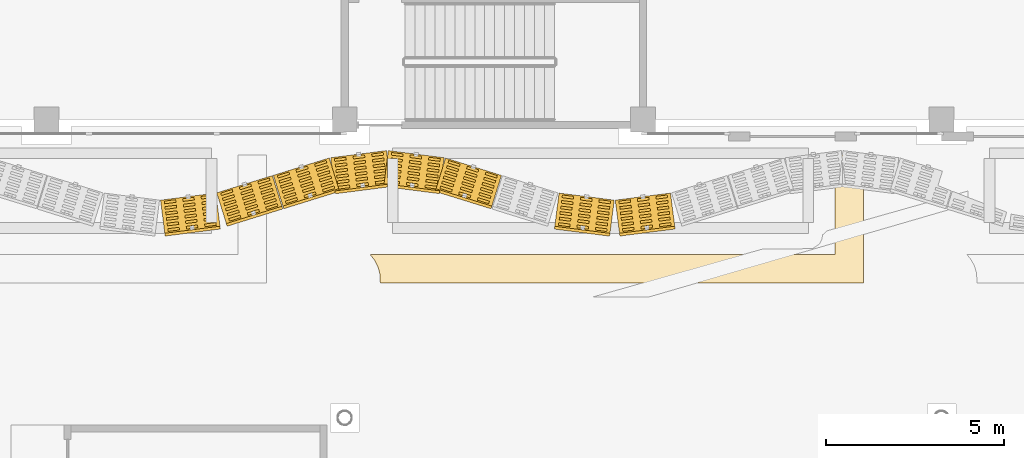
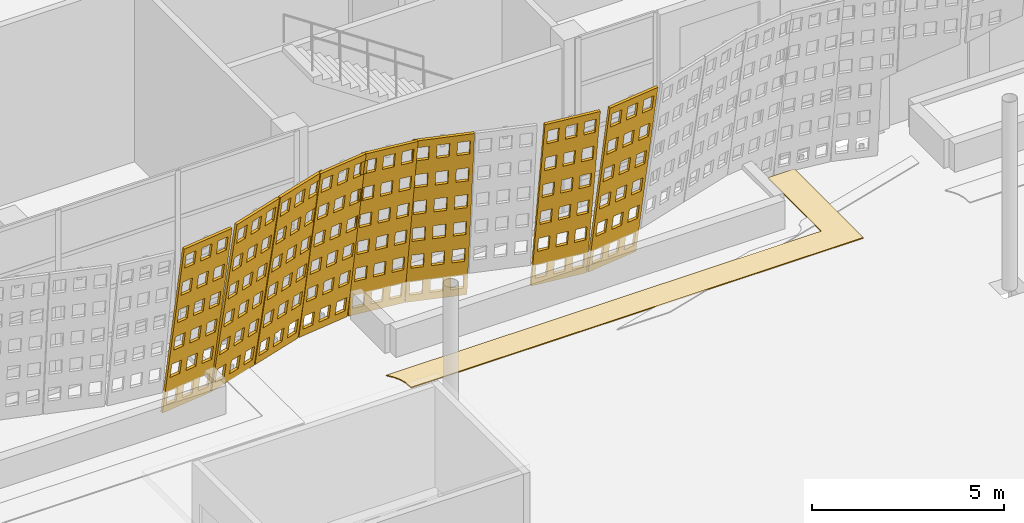
# One storey, part 173 of 210: 9 coverings.
"""IFC4 building model written with IfcOpenShell, lengths in metres."""

from ifc_helpers import new_model, si_unit, direction, frame, origin, place, context, subcontext, project, spatial, polyline, outline, extrude, material, layer, layer_set, type_object, element, save


model = new_model("IFC4")

# Units and contexts
model_context = context("Model", 3, precision=1e-05, world=origin(), true_north=direction((0.0, 1.0)))
body_context = subcontext(model_context, "Body", "Model", "MODEL_VIEW")
ifc_project = project(units=[si_unit("LENGTHUNIT", "METRE"), si_unit("AREAUNIT", "SQUARE_METRE"), si_unit("VOLUMEUNIT", "CUBIC_METRE"), si_unit("PLANEANGLEUNIT", "RADIAN"), si_unit("MASSUNIT", "GRAM", prefix="KILO")], contexts=[model_context])

# Site, building, storey
site_placement = place(None, origin())
site = spatial("IfcSite", under=ifc_project, at=site_placement, CompositionType="ELEMENT")
building_placement = place(site_placement, origin())
building = spatial("IfcBuilding", under=site, at=building_placement, Name="Rain Tree Exposition and Congress Centre", CompositionType="ELEMENT")
storey_placement = place(building_placement, origin())
storey = spatial("IfcBuildingStorey", under=building, at=storey_placement, Name="L00", CompositionType="ELEMENT", Elevation=0.0)

# Coverings
ifc_material_1 = material(Name="Granite paving", Category="masonry")
ifc_layer_1 = layer(ifc_material_1, 0.030029296875)
ifc_layer_set_1 = layer_set([ifc_layer_1], Name="Granite paving")
covering_type_1 = type_object("IfcCoveringType", Name="Granite paving inlay 30", PredefinedType="FLOORING", material=ifc_layer_set_1)
covering_1_placement = place(storey_placement, origin())
element("IfcCovering", 1, at=covering_1_placement, inside=storey, type_object=covering_type_1, Name="Granite paving inlay 25", PredefinedType="FLOORING", context=body_context, shape_type="SweptSolid", body=[
    extrude(outline(polyline([(89.39990234375, 71.800048828125), (76.3134765625, 71.800048828125), (76.44189453125, 71.638916015625), (76.531005859375, 71.46435546875), (76.583984375, 71.275634765625), (76.60009765625, 71.0), (90.199951171875, 71.0), (90.199951171875, 74.60009765625), (89.39990234375, 74.60009765625), (89.39990234375, 71.800048828125)])), origin(), (0.0, 0.0, 1.0), 0.030029296875),
])
ifc_material_2 = material(Name="Perforated terracotta", Category="masonry")
ifc_layer_2 = layer(ifc_material_2, 0.080078125)
ifc_layer_set_2 = layer_set([ifc_layer_2], Name="Perforated terracotta")
covering_type_2 = type_object("IfcCoveringType", Name="Terracotta screen 80", PredefinedType="CLADDING", material=ifc_layer_set_2)
covering_2_placement = place(storey_placement, frame((70.39990234375, 73.25, 0.0), z_axis=(-0.125030801275, 0.978899688033, 0.161625182136), x_axis=(-0.991941518713, -0.126696580272, 0.0)))
element("IfcCovering", 2, at=covering_2_placement, inside=storey, type_object=covering_type_2, Name="concourse/screen/L00/045", PredefinedType="CLADDING", context=body_context, shape_type="SweptSolid", body=[
    extrude(outline(polyline([(-0.025146484375, 0.0), (-1.59130859375, 0.0), (-1.59130859375, 5.813720703125), (-0.025146484375, 5.813720703125), (-0.025146484375, 0.0)]), holes=[polyline([(-0.12451171875, 0.25), (-0.12451171875, 0.718994140625), (-0.447998046875, 0.718994140625), (-0.447998046875, 0.25), (-0.12451171875, 0.25)]), polyline([(-0.12451171875, 1.218994140625), (-0.12451171875, 1.687744140625), (-0.447998046875, 1.687744140625), (-0.447998046875, 1.218994140625), (-0.12451171875, 1.218994140625)]), polyline([(-0.12451171875, 2.18798828125), (-0.12451171875, 2.65673828125), (-0.447998046875, 2.65673828125), (-0.447998046875, 2.18798828125), (-0.12451171875, 2.18798828125)]), polyline([(-0.12451171875, 3.156982421875), (-0.12451171875, 3.625732421875), (-0.447998046875, 3.625732421875), (-0.447998046875, 3.156982421875), (-0.12451171875, 3.156982421875)]), polyline([(-0.12451171875, 4.125732421875), (-0.12451171875, 4.594482421875), (-0.447998046875, 4.594482421875), (-0.447998046875, 4.125732421875), (-0.12451171875, 4.125732421875)]), polyline([(-0.12451171875, 5.0947265625), (-0.12451171875, 5.563720703125), (-0.447998046875, 5.563720703125), (-0.447998046875, 5.0947265625), (-0.12451171875, 5.0947265625)]), polyline([(-0.646484375, 0.25), (-0.646484375, 0.718994140625), (-0.969970703125, 0.718994140625), (-0.969970703125, 0.25), (-0.646484375, 0.25)]), polyline([(-0.646484375, 1.218994140625), (-0.646484375, 1.687744140625), (-0.969970703125, 1.687744140625), (-0.969970703125, 1.218994140625), (-0.646484375, 1.218994140625)]), polyline([(-0.646484375, 2.18798828125), (-0.646484375, 2.65673828125), (-0.969970703125, 2.65673828125), (-0.969970703125, 2.18798828125), (-0.646484375, 2.18798828125)]), polyline([(-0.646484375, 3.156982421875), (-0.646484375, 3.625732421875), (-0.969970703125, 3.625732421875), (-0.969970703125, 3.156982421875), (-0.646484375, 3.156982421875)]), polyline([(-0.646484375, 4.125732421875), (-0.646484375, 4.594482421875), (-0.969970703125, 4.594482421875), (-0.969970703125, 4.125732421875), (-0.646484375, 4.125732421875)]), polyline([(-0.646484375, 5.0947265625), (-0.646484375, 5.563720703125), (-0.969970703125, 5.563720703125), (-0.969970703125, 5.0947265625), (-0.646484375, 5.0947265625)]), polyline([(-1.16845703125, 0.25), (-1.16845703125, 0.718994140625), (-1.491943359375, 0.718994140625), (-1.491943359375, 0.25), (-1.16845703125, 0.25)]), polyline([(-1.16845703125, 1.218994140625), (-1.16845703125, 1.687744140625), (-1.491943359375, 1.687744140625), (-1.491943359375, 1.218994140625), (-1.16845703125, 1.218994140625)]), polyline([(-1.16845703125, 2.18798828125), (-1.16845703125, 2.65673828125), (-1.491943359375, 2.65673828125), (-1.491943359375, 2.18798828125), (-1.16845703125, 2.18798828125)]), polyline([(-1.16845703125, 3.156982421875), (-1.16845703125, 3.625732421875), (-1.491943359375, 3.625732421875), (-1.491943359375, 3.156982421875), (-1.16845703125, 3.156982421875)]), polyline([(-1.16845703125, 4.125732421875), (-1.16845703125, 4.594482421875), (-1.491943359375, 4.594482421875), (-1.491943359375, 4.125732421875), (-1.16845703125, 4.125732421875)]), polyline([(-1.16845703125, 5.0947265625), (-1.16845703125, 5.563720703125), (-1.491943359375, 5.563720703125), (-1.491943359375, 5.0947265625), (-1.16845703125, 5.0947265625)])]), origin(), (0.0, 0.0, 1.0), 0.080078125),
])
covering_3_placement = place(storey_placement, frame((72.0, 73.455078125, 0.0), z_axis=(-0.293072736571, 0.943327870838, 0.155694891303), x_axis=(-0.954973588716, -0.296690823679, 0.0)))
element("IfcCovering", 3, at=covering_3_placement, inside=storey, type_object=covering_type_2, Name="concourse/screen/L00/046", PredefinedType="CLADDING", context=body_context, shape_type="SweptSolid", body=[
    extrude(outline(polyline([(-0.02197265625, 0.0), (-1.659912109375, 0.0), (-1.659912109375, 5.80859375), (-0.02197265625, 5.80859375), (-0.02197265625, 0.0)]), holes=[polyline([(-0.125732421875, 0.249755859375), (-0.125732421875, 0.71826171875), (-0.464111328125, 0.71826171875), (-0.464111328125, 0.249755859375), (-0.125732421875, 0.249755859375)]), polyline([(-0.125732421875, 1.218017578125), (-0.125732421875, 1.686279296875), (-0.464111328125, 1.686279296875), (-0.464111328125, 1.218017578125), (-0.125732421875, 1.218017578125)]), polyline([(-0.125732421875, 2.18603515625), (-0.125732421875, 2.654541015625), (-0.464111328125, 2.654541015625), (-0.464111328125, 2.18603515625), (-0.125732421875, 2.18603515625)]), polyline([(-0.125732421875, 3.154052734375), (-0.125732421875, 3.62255859375), (-0.464111328125, 3.62255859375), (-0.464111328125, 3.154052734375), (-0.125732421875, 3.154052734375)]), polyline([(-0.125732421875, 4.122314453125), (-0.125732421875, 4.5908203125), (-0.464111328125, 4.5908203125), (-0.464111328125, 4.122314453125), (-0.125732421875, 4.122314453125)]), polyline([(-0.125732421875, 5.09033203125), (-0.125732421875, 5.558837890625), (-0.464111328125, 5.558837890625), (-0.464111328125, 5.09033203125), (-0.125732421875, 5.09033203125)]), polyline([(-0.671630859375, 0.249755859375), (-0.671630859375, 0.71826171875), (-1.010009765625, 0.71826171875), (-1.010009765625, 0.249755859375), (-0.671630859375, 0.249755859375)]), polyline([(-0.671630859375, 1.218017578125), (-0.671630859375, 1.686279296875), (-1.010009765625, 1.686279296875), (-1.010009765625, 1.218017578125), (-0.671630859375, 1.218017578125)]), polyline([(-0.671630859375, 2.18603515625), (-0.671630859375, 2.654541015625), (-1.010009765625, 2.654541015625), (-1.010009765625, 2.18603515625), (-0.671630859375, 2.18603515625)]), polyline([(-0.671630859375, 3.154052734375), (-0.671630859375, 3.62255859375), (-1.010009765625, 3.62255859375), (-1.010009765625, 3.154052734375), (-0.671630859375, 3.154052734375)]), polyline([(-0.671630859375, 4.122314453125), (-0.671630859375, 4.5908203125), (-1.010009765625, 4.5908203125), (-1.010009765625, 4.122314453125), (-0.671630859375, 4.122314453125)]), polyline([(-0.671630859375, 5.09033203125), (-0.671630859375, 5.558837890625), (-1.010009765625, 5.558837890625), (-1.010009765625, 5.09033203125), (-0.671630859375, 5.09033203125)]), polyline([(-1.217529296875, 0.249755859375), (-1.217529296875, 0.71826171875), (-1.55615234375, 0.71826171875), (-1.55615234375, 0.249755859375), (-1.217529296875, 0.249755859375)]), polyline([(-1.217529296875, 1.218017578125), (-1.217529296875, 1.686279296875), (-1.55615234375, 1.686279296875), (-1.55615234375, 1.218017578125), (-1.217529296875, 1.218017578125)]), polyline([(-1.217529296875, 2.18603515625), (-1.217529296875, 2.654541015625), (-1.55615234375, 2.654541015625), (-1.55615234375, 2.18603515625), (-1.217529296875, 2.18603515625)]), polyline([(-1.217529296875, 3.154052734375), (-1.217529296875, 3.62255859375), (-1.55615234375, 3.62255859375), (-1.55615234375, 3.154052734375), (-1.217529296875, 3.154052734375)]), polyline([(-1.217529296875, 4.122314453125), (-1.217529296875, 4.5908203125), (-1.55615234375, 4.5908203125), (-1.55615234375, 4.122314453125), (-1.217529296875, 4.122314453125)]), polyline([(-1.217529296875, 5.09033203125), (-1.217529296875, 5.558837890625), (-1.55615234375, 5.558837890625), (-1.55615234375, 5.09033203125), (-1.217529296875, 5.09033203125)])]), origin(), (0.0, 0.0, 1.0), 0.080078125),
])
covering_4_placement = place(storey_placement, frame((73.60009765625, 73.949951171875, 0.0), z_axis=(-0.293072736571, 0.943327870838, 0.155694891303), x_axis=(-0.954973588716, -0.296690823679, 0.0)))
element("IfcCovering", 4, at=covering_4_placement, inside=storey, type_object=covering_type_2, Name="concourse/screen/L00/047", PredefinedType="CLADDING", context=body_context, shape_type="SweptSolid", body=[
    extrude(outline(polyline([(-0.014892578125, 0.0), (-1.659912109375, 0.0), (-1.659912109375, 5.80859375), (-0.014892578125, 5.80859375), (-0.014892578125, 0.0)]), holes=[polyline([(-0.119140625, 0.249755859375), (-0.119140625, 0.71826171875), (-0.458984375, 0.71826171875), (-0.458984375, 0.249755859375), (-0.119140625, 0.249755859375)]), polyline([(-0.119140625, 1.218017578125), (-0.119140625, 1.686279296875), (-0.458984375, 1.686279296875), (-0.458984375, 1.218017578125), (-0.119140625, 1.218017578125)]), polyline([(-0.119140625, 2.18603515625), (-0.119140625, 2.654541015625), (-0.458984375, 2.654541015625), (-0.458984375, 2.18603515625), (-0.119140625, 2.18603515625)]), polyline([(-0.119140625, 3.154052734375), (-0.119140625, 3.62255859375), (-0.458984375, 3.62255859375), (-0.458984375, 3.154052734375), (-0.119140625, 3.154052734375)]), polyline([(-0.119140625, 4.122314453125), (-0.119140625, 4.5908203125), (-0.458984375, 4.5908203125), (-0.458984375, 4.122314453125), (-0.119140625, 4.122314453125)]), polyline([(-0.119140625, 5.09033203125), (-0.119140625, 5.558837890625), (-0.458984375, 5.558837890625), (-0.458984375, 5.09033203125), (-0.119140625, 5.09033203125)]), polyline([(-0.66748046875, 0.249755859375), (-0.66748046875, 0.71826171875), (-1.00732421875, 0.71826171875), (-1.00732421875, 0.249755859375), (-0.66748046875, 0.249755859375)]), polyline([(-0.66748046875, 1.218017578125), (-0.66748046875, 1.686279296875), (-1.00732421875, 1.686279296875), (-1.00732421875, 1.218017578125), (-0.66748046875, 1.218017578125)]), polyline([(-0.66748046875, 2.18603515625), (-0.66748046875, 2.654541015625), (-1.00732421875, 2.654541015625), (-1.00732421875, 2.18603515625), (-0.66748046875, 2.18603515625)]), polyline([(-0.66748046875, 3.154052734375), (-0.66748046875, 3.62255859375), (-1.00732421875, 3.62255859375), (-1.00732421875, 3.154052734375), (-0.66748046875, 3.154052734375)]), polyline([(-0.66748046875, 4.122314453125), (-0.66748046875, 4.5908203125), (-1.00732421875, 4.5908203125), (-1.00732421875, 4.122314453125), (-0.66748046875, 4.122314453125)]), polyline([(-0.66748046875, 5.09033203125), (-0.66748046875, 5.558837890625), (-1.00732421875, 5.558837890625), (-1.00732421875, 5.09033203125), (-0.66748046875, 5.09033203125)]), polyline([(-1.2158203125, 0.249755859375), (-1.2158203125, 0.71826171875), (-1.5556640625, 0.71826171875), (-1.5556640625, 0.249755859375), (-1.2158203125, 0.249755859375)]), polyline([(-1.2158203125, 1.218017578125), (-1.2158203125, 1.686279296875), (-1.5556640625, 1.686279296875), (-1.5556640625, 1.218017578125), (-1.2158203125, 1.218017578125)]), polyline([(-1.2158203125, 2.18603515625), (-1.2158203125, 2.654541015625), (-1.5556640625, 2.654541015625), (-1.5556640625, 2.18603515625), (-1.2158203125, 2.18603515625)]), polyline([(-1.2158203125, 3.154052734375), (-1.2158203125, 3.62255859375), (-1.5556640625, 3.62255859375), (-1.5556640625, 3.154052734375), (-1.2158203125, 3.154052734375)]), polyline([(-1.2158203125, 4.122314453125), (-1.2158203125, 4.5908203125), (-1.5556640625, 4.5908203125), (-1.5556640625, 4.122314453125), (-1.2158203125, 4.122314453125)]), polyline([(-1.2158203125, 5.09033203125), (-1.2158203125, 5.558837890625), (-1.5556640625, 5.558837890625), (-1.5556640625, 5.09033203125), (-1.2158203125, 5.09033203125)])]), origin(), (0.0, 0.0, 1.0), 0.080078125),
])
covering_5_placement = place(storey_placement, frame((75.199951171875, 74.445068359375, 0.0), z_axis=(-0.125405134464, 0.978771781185, 0.162109076259), x_axis=(-0.991891686382, -0.127086122318, 0.0)))
element("IfcCovering", 5, at=covering_5_placement, inside=storey, type_object=covering_type_2, Name="concourse/screen/L00/048", PredefinedType="CLADDING", context=body_context, shape_type="SweptSolid", body=[
    extrude(outline(polyline([(-0.014892578125, 0.0), (-1.59814453125, 0.0), (-1.59814453125, 5.813720703125), (-0.014892578125, 5.813720703125), (-0.014892578125, 0.0)]), holes=[polyline([(-0.115234375, 0.25), (-0.115234375, 0.718994140625), (-0.4423828125, 0.718994140625), (-0.4423828125, 0.25), (-0.115234375, 0.25)]), polyline([(-0.115234375, 1.218994140625), (-0.115234375, 1.687744140625), (-0.4423828125, 1.687744140625), (-0.4423828125, 1.218994140625), (-0.115234375, 1.218994140625)]), polyline([(-0.115234375, 2.18798828125), (-0.115234375, 2.65673828125), (-0.4423828125, 2.65673828125), (-0.4423828125, 2.18798828125), (-0.115234375, 2.18798828125)]), polyline([(-0.115234375, 3.156982421875), (-0.115234375, 3.625732421875), (-0.4423828125, 3.625732421875), (-0.4423828125, 3.156982421875), (-0.115234375, 3.156982421875)]), polyline([(-0.115234375, 4.125732421875), (-0.115234375, 4.594482421875), (-0.4423828125, 4.594482421875), (-0.4423828125, 4.125732421875), (-0.115234375, 4.125732421875)]), polyline([(-0.115234375, 5.0947265625), (-0.115234375, 5.563720703125), (-0.4423828125, 5.563720703125), (-0.4423828125, 5.0947265625), (-0.115234375, 5.0947265625)]), polyline([(-0.64306640625, 0.25), (-0.64306640625, 0.718994140625), (-0.97021484375, 0.718994140625), (-0.97021484375, 0.25), (-0.64306640625, 0.25)]), polyline([(-0.64306640625, 1.218994140625), (-0.64306640625, 1.687744140625), (-0.97021484375, 1.687744140625), (-0.97021484375, 1.218994140625), (-0.64306640625, 1.218994140625)]), polyline([(-0.64306640625, 2.18798828125), (-0.64306640625, 2.65673828125), (-0.97021484375, 2.65673828125), (-0.97021484375, 2.18798828125), (-0.64306640625, 2.18798828125)]), polyline([(-0.64306640625, 3.156982421875), (-0.64306640625, 3.625732421875), (-0.97021484375, 3.625732421875), (-0.97021484375, 3.156982421875), (-0.64306640625, 3.156982421875)]), polyline([(-0.64306640625, 4.125732421875), (-0.64306640625, 4.594482421875), (-0.97021484375, 4.594482421875), (-0.97021484375, 4.125732421875), (-0.64306640625, 4.125732421875)]), polyline([(-0.64306640625, 5.0947265625), (-0.64306640625, 5.563720703125), (-0.97021484375, 5.563720703125), (-0.97021484375, 5.0947265625), (-0.64306640625, 5.0947265625)]), polyline([(-1.170654296875, 0.25), (-1.170654296875, 0.718994140625), (-1.497802734375, 0.718994140625), (-1.497802734375, 0.25), (-1.170654296875, 0.25)]), polyline([(-1.170654296875, 1.218994140625), (-1.170654296875, 1.687744140625), (-1.497802734375, 1.687744140625), (-1.497802734375, 1.218994140625), (-1.170654296875, 1.218994140625)]), polyline([(-1.170654296875, 2.18798828125), (-1.170654296875, 2.65673828125), (-1.497802734375, 2.65673828125), (-1.497802734375, 2.18798828125), (-1.170654296875, 2.18798828125)]), polyline([(-1.170654296875, 3.156982421875), (-1.170654296875, 3.625732421875), (-1.497802734375, 3.625732421875), (-1.497802734375, 3.156982421875), (-1.170654296875, 3.156982421875)]), polyline([(-1.170654296875, 4.125732421875), (-1.170654296875, 4.594482421875), (-1.497802734375, 4.594482421875), (-1.497802734375, 4.125732421875), (-1.170654296875, 4.125732421875)]), polyline([(-1.170654296875, 5.0947265625), (-1.170654296875, 5.563720703125), (-1.497802734375, 5.563720703125), (-1.497802734375, 5.0947265625), (-1.170654296875, 5.0947265625)])]), origin(), (0.0, 0.0, 1.0), 0.079833984375),
])
covering_6_placement = place(storey_placement, frame((76.800048828125, 74.64990234375, 0.0), z_axis=(0.125030801275, 0.978899688033, 0.161625182136), x_axis=(-0.991941518713, 0.126696580272, 0.0)))
element("IfcCovering", 6, at=covering_6_placement, inside=storey, type_object=covering_type_2, Name="concourse/screen/L00/049", PredefinedType="CLADDING", context=body_context, shape_type="SweptSolid", body=[
    extrude(outline(polyline([(-0.014892578125, 0.0), (-1.59814453125, 0.0), (-1.59814453125, 5.813720703125), (-0.014892578125, 5.813720703125), (-0.014892578125, 0.0)]), holes=[polyline([(-0.115234375, 0.25), (-0.115234375, 0.718994140625), (-0.4423828125, 0.718994140625), (-0.4423828125, 0.25), (-0.115234375, 0.25)]), polyline([(-0.115234375, 1.218994140625), (-0.115234375, 1.687744140625), (-0.4423828125, 1.687744140625), (-0.4423828125, 1.218994140625), (-0.115234375, 1.218994140625)]), polyline([(-0.115234375, 2.18798828125), (-0.115234375, 2.65673828125), (-0.4423828125, 2.65673828125), (-0.4423828125, 2.18798828125), (-0.115234375, 2.18798828125)]), polyline([(-0.115234375, 3.156982421875), (-0.115234375, 3.625732421875), (-0.4423828125, 3.625732421875), (-0.4423828125, 3.156982421875), (-0.115234375, 3.156982421875)]), polyline([(-0.115234375, 4.125732421875), (-0.115234375, 4.594482421875), (-0.4423828125, 4.594482421875), (-0.4423828125, 4.125732421875), (-0.115234375, 4.125732421875)]), polyline([(-0.115234375, 5.0947265625), (-0.115234375, 5.563720703125), (-0.4423828125, 5.563720703125), (-0.4423828125, 5.0947265625), (-0.115234375, 5.0947265625)]), polyline([(-0.64306640625, 0.25), (-0.64306640625, 0.718994140625), (-0.97021484375, 0.718994140625), (-0.97021484375, 0.25), (-0.64306640625, 0.25)]), polyline([(-0.64306640625, 1.218994140625), (-0.64306640625, 1.687744140625), (-0.97021484375, 1.687744140625), (-0.97021484375, 1.218994140625), (-0.64306640625, 1.218994140625)]), polyline([(-0.64306640625, 2.18798828125), (-0.64306640625, 2.65673828125), (-0.97021484375, 2.65673828125), (-0.97021484375, 2.18798828125), (-0.64306640625, 2.18798828125)]), polyline([(-0.64306640625, 3.156982421875), (-0.64306640625, 3.625732421875), (-0.97021484375, 3.625732421875), (-0.97021484375, 3.156982421875), (-0.64306640625, 3.156982421875)]), polyline([(-0.64306640625, 4.125732421875), (-0.64306640625, 4.594482421875), (-0.97021484375, 4.594482421875), (-0.97021484375, 4.125732421875), (-0.64306640625, 4.125732421875)]), polyline([(-0.64306640625, 5.0947265625), (-0.64306640625, 5.563720703125), (-0.97021484375, 5.563720703125), (-0.97021484375, 5.0947265625), (-0.64306640625, 5.0947265625)]), polyline([(-1.170654296875, 0.25), (-1.170654296875, 0.718994140625), (-1.497802734375, 0.718994140625), (-1.497802734375, 0.25), (-1.170654296875, 0.25)]), polyline([(-1.170654296875, 1.218994140625), (-1.170654296875, 1.687744140625), (-1.497802734375, 1.687744140625), (-1.497802734375, 1.218994140625), (-1.170654296875, 1.218994140625)]), polyline([(-1.170654296875, 2.18798828125), (-1.170654296875, 2.65673828125), (-1.497802734375, 2.65673828125), (-1.497802734375, 2.18798828125), (-1.170654296875, 2.18798828125)]), polyline([(-1.170654296875, 3.156982421875), (-1.170654296875, 3.625732421875), (-1.497802734375, 3.625732421875), (-1.497802734375, 3.156982421875), (-1.170654296875, 3.156982421875)]), polyline([(-1.170654296875, 4.125732421875), (-1.170654296875, 4.594482421875), (-1.497802734375, 4.594482421875), (-1.497802734375, 4.125732421875), (-1.170654296875, 4.125732421875)]), polyline([(-1.170654296875, 5.0947265625), (-1.170654296875, 5.563720703125), (-1.497802734375, 5.563720703125), (-1.497802734375, 5.0947265625), (-1.170654296875, 5.0947265625)])]), origin(), (0.0, 0.0, 1.0), 0.080078125),
])
covering_7_placement = place(storey_placement, frame((78.39990234375, 74.445068359375, 0.0), z_axis=(0.293072736571, 0.943327870838, 0.155694891303), x_axis=(-0.954973588716, 0.296690823679, 0.0)))
element("IfcCovering", 7, at=covering_7_placement, inside=storey, type_object=covering_type_2, Name="concourse/screen/L00/050", PredefinedType="CLADDING", context=body_context, shape_type="SweptSolid", body=[
    extrude(outline(polyline([(-0.014892578125, 0.0), (-1.659912109375, 0.0), (-1.659912109375, 5.80859375), (-0.014892578125, 5.80859375), (-0.014892578125, 0.0)]), holes=[polyline([(-0.119140625, 0.249755859375), (-0.119140625, 0.71826171875), (-0.458984375, 0.71826171875), (-0.458984375, 0.249755859375), (-0.119140625, 0.249755859375)]), polyline([(-0.119140625, 1.218017578125), (-0.119140625, 1.686279296875), (-0.458984375, 1.686279296875), (-0.458984375, 1.218017578125), (-0.119140625, 1.218017578125)]), polyline([(-0.119140625, 2.18603515625), (-0.119140625, 2.654541015625), (-0.458984375, 2.654541015625), (-0.458984375, 2.18603515625), (-0.119140625, 2.18603515625)]), polyline([(-0.119140625, 3.154052734375), (-0.119140625, 3.62255859375), (-0.458984375, 3.62255859375), (-0.458984375, 3.154052734375), (-0.119140625, 3.154052734375)]), polyline([(-0.119140625, 4.122314453125), (-0.119140625, 4.5908203125), (-0.458984375, 4.5908203125), (-0.458984375, 4.122314453125), (-0.119140625, 4.122314453125)]), polyline([(-0.119140625, 5.09033203125), (-0.119140625, 5.558837890625), (-0.458984375, 5.558837890625), (-0.458984375, 5.09033203125), (-0.119140625, 5.09033203125)]), polyline([(-0.66748046875, 0.249755859375), (-0.66748046875, 0.71826171875), (-1.00732421875, 0.71826171875), (-1.00732421875, 0.249755859375), (-0.66748046875, 0.249755859375)]), polyline([(-0.66748046875, 1.218017578125), (-0.66748046875, 1.686279296875), (-1.00732421875, 1.686279296875), (-1.00732421875, 1.218017578125), (-0.66748046875, 1.218017578125)]), polyline([(-0.66748046875, 2.18603515625), (-0.66748046875, 2.654541015625), (-1.00732421875, 2.654541015625), (-1.00732421875, 2.18603515625), (-0.66748046875, 2.18603515625)]), polyline([(-0.66748046875, 3.154052734375), (-0.66748046875, 3.62255859375), (-1.00732421875, 3.62255859375), (-1.00732421875, 3.154052734375), (-0.66748046875, 3.154052734375)]), polyline([(-0.66748046875, 4.122314453125), (-0.66748046875, 4.5908203125), (-1.00732421875, 4.5908203125), (-1.00732421875, 4.122314453125), (-0.66748046875, 4.122314453125)]), polyline([(-0.66748046875, 5.09033203125), (-0.66748046875, 5.558837890625), (-1.00732421875, 5.558837890625), (-1.00732421875, 5.09033203125), (-0.66748046875, 5.09033203125)]), polyline([(-1.2158203125, 0.249755859375), (-1.2158203125, 0.71826171875), (-1.5556640625, 0.71826171875), (-1.5556640625, 0.249755859375), (-1.2158203125, 0.249755859375)]), polyline([(-1.2158203125, 1.218017578125), (-1.2158203125, 1.686279296875), (-1.5556640625, 1.686279296875), (-1.5556640625, 1.218017578125), (-1.2158203125, 1.218017578125)]), polyline([(-1.2158203125, 2.18603515625), (-1.2158203125, 2.654541015625), (-1.5556640625, 2.654541015625), (-1.5556640625, 2.18603515625), (-1.2158203125, 2.18603515625)]), polyline([(-1.2158203125, 3.154052734375), (-1.2158203125, 3.62255859375), (-1.5556640625, 3.62255859375), (-1.5556640625, 3.154052734375), (-1.2158203125, 3.154052734375)]), polyline([(-1.2158203125, 4.122314453125), (-1.2158203125, 4.5908203125), (-1.5556640625, 4.5908203125), (-1.5556640625, 4.122314453125), (-1.2158203125, 4.122314453125)]), polyline([(-1.2158203125, 5.09033203125), (-1.2158203125, 5.558837890625), (-1.5556640625, 5.558837890625), (-1.5556640625, 5.09033203125), (-1.2158203125, 5.09033203125)])]), origin(), (0.0, 0.0, 1.0), 0.080078125),
])
covering_8_placement = place(storey_placement, frame((81.60009765625, 73.455078125, 0.0), z_axis=(0.125405134464, 0.978771781185, 0.162109076259), x_axis=(-0.991891686382, 0.127086122318, 0.0)))
element("IfcCovering", 8, at=covering_8_placement, inside=storey, type_object=covering_type_2, Name="concourse/screen/L00/052", PredefinedType="CLADDING", context=body_context, shape_type="SweptSolid", body=[
    extrude(outline(polyline([(-0.02197265625, 0.0), (-1.587890625, 0.0), (-1.587890625, 5.813720703125), (-0.02197265625, 5.813720703125), (-0.02197265625, 0.0)]), holes=[polyline([(-0.12109375, 0.25), (-0.12109375, 0.718994140625), (-0.444580078125, 0.718994140625), (-0.444580078125, 0.25), (-0.12109375, 0.25)]), polyline([(-0.12109375, 1.218994140625), (-0.12109375, 1.687744140625), (-0.444580078125, 1.687744140625), (-0.444580078125, 1.218994140625), (-0.12109375, 1.218994140625)]), polyline([(-0.12109375, 2.18798828125), (-0.12109375, 2.65673828125), (-0.444580078125, 2.65673828125), (-0.444580078125, 2.18798828125), (-0.12109375, 2.18798828125)]), polyline([(-0.12109375, 3.156982421875), (-0.12109375, 3.625732421875), (-0.444580078125, 3.625732421875), (-0.444580078125, 3.156982421875), (-0.12109375, 3.156982421875)]), polyline([(-0.12109375, 4.125732421875), (-0.12109375, 4.594482421875), (-0.444580078125, 4.594482421875), (-0.444580078125, 4.125732421875), (-0.12109375, 4.125732421875)]), polyline([(-0.12109375, 5.0947265625), (-0.12109375, 5.563720703125), (-0.444580078125, 5.563720703125), (-0.444580078125, 5.0947265625), (-0.12109375, 5.0947265625)]), polyline([(-0.64306640625, 0.25), (-0.64306640625, 0.718994140625), (-0.966796875, 0.718994140625), (-0.966796875, 0.25), (-0.64306640625, 0.25)]), polyline([(-0.64306640625, 1.218994140625), (-0.64306640625, 1.687744140625), (-0.966796875, 1.687744140625), (-0.966796875, 1.218994140625), (-0.64306640625, 1.218994140625)]), polyline([(-0.64306640625, 2.18798828125), (-0.64306640625, 2.65673828125), (-0.966796875, 2.65673828125), (-0.966796875, 2.18798828125), (-0.64306640625, 2.18798828125)]), polyline([(-0.64306640625, 3.156982421875), (-0.64306640625, 3.625732421875), (-0.966796875, 3.625732421875), (-0.966796875, 3.156982421875), (-0.64306640625, 3.156982421875)]), polyline([(-0.64306640625, 4.125732421875), (-0.64306640625, 4.594482421875), (-0.966796875, 4.594482421875), (-0.966796875, 4.125732421875), (-0.64306640625, 4.125732421875)]), polyline([(-0.64306640625, 5.0947265625), (-0.64306640625, 5.563720703125), (-0.966796875, 5.563720703125), (-0.966796875, 5.0947265625), (-0.64306640625, 5.0947265625)]), polyline([(-1.1650390625, 0.25), (-1.1650390625, 0.718994140625), (-1.48876953125, 0.718994140625), (-1.48876953125, 0.25), (-1.1650390625, 0.25)]), polyline([(-1.1650390625, 1.218994140625), (-1.1650390625, 1.687744140625), (-1.48876953125, 1.687744140625), (-1.48876953125, 1.218994140625), (-1.1650390625, 1.218994140625)]), polyline([(-1.1650390625, 2.18798828125), (-1.1650390625, 2.65673828125), (-1.48876953125, 2.65673828125), (-1.48876953125, 2.18798828125), (-1.1650390625, 2.18798828125)]), polyline([(-1.1650390625, 3.156982421875), (-1.1650390625, 3.625732421875), (-1.48876953125, 3.625732421875), (-1.48876953125, 3.156982421875), (-1.1650390625, 3.156982421875)]), polyline([(-1.1650390625, 4.125732421875), (-1.1650390625, 4.594482421875), (-1.48876953125, 4.594482421875), (-1.48876953125, 4.125732421875), (-1.1650390625, 4.125732421875)]), polyline([(-1.1650390625, 5.0947265625), (-1.1650390625, 5.563720703125), (-1.48876953125, 5.563720703125), (-1.48876953125, 5.0947265625), (-1.1650390625, 5.0947265625)])]), origin(), (0.0, 0.0, 1.0), 0.079833984375),
])
covering_9_placement = place(storey_placement, frame((83.199951171875, 73.25, 0.0), z_axis=(-0.125030801275, 0.978899688033, 0.161625182136), x_axis=(-0.991941518713, -0.126696580272, 0.0)))
element("IfcCovering", 9, at=covering_9_placement, inside=storey, type_object=covering_type_2, Name="concourse/screen/L00/053", PredefinedType="CLADDING", context=body_context, shape_type="SweptSolid", body=[
    extrude(outline(polyline([(-0.025146484375, 0.0), (-1.59130859375, 0.0), (-1.59130859375, 5.813720703125), (-0.025146484375, 5.813720703125), (-0.025146484375, 0.0)]), holes=[polyline([(-0.12451171875, 0.25), (-0.12451171875, 0.718994140625), (-0.447998046875, 0.718994140625), (-0.447998046875, 0.25), (-0.12451171875, 0.25)]), polyline([(-0.12451171875, 1.218994140625), (-0.12451171875, 1.687744140625), (-0.447998046875, 1.687744140625), (-0.447998046875, 1.218994140625), (-0.12451171875, 1.218994140625)]), polyline([(-0.12451171875, 2.18798828125), (-0.12451171875, 2.65673828125), (-0.447998046875, 2.65673828125), (-0.447998046875, 2.18798828125), (-0.12451171875, 2.18798828125)]), polyline([(-0.12451171875, 3.156982421875), (-0.12451171875, 3.625732421875), (-0.447998046875, 3.625732421875), (-0.447998046875, 3.156982421875), (-0.12451171875, 3.156982421875)]), polyline([(-0.12451171875, 4.125732421875), (-0.12451171875, 4.594482421875), (-0.447998046875, 4.594482421875), (-0.447998046875, 4.125732421875), (-0.12451171875, 4.125732421875)]), polyline([(-0.12451171875, 5.0947265625), (-0.12451171875, 5.563720703125), (-0.447998046875, 5.563720703125), (-0.447998046875, 5.0947265625), (-0.12451171875, 5.0947265625)]), polyline([(-0.646484375, 0.25), (-0.646484375, 0.718994140625), (-0.969970703125, 0.718994140625), (-0.969970703125, 0.25), (-0.646484375, 0.25)]), polyline([(-0.646484375, 1.218994140625), (-0.646484375, 1.687744140625), (-0.969970703125, 1.687744140625), (-0.969970703125, 1.218994140625), (-0.646484375, 1.218994140625)]), polyline([(-0.646484375, 2.18798828125), (-0.646484375, 2.65673828125), (-0.969970703125, 2.65673828125), (-0.969970703125, 2.18798828125), (-0.646484375, 2.18798828125)]), polyline([(-0.646484375, 3.156982421875), (-0.646484375, 3.625732421875), (-0.969970703125, 3.625732421875), (-0.969970703125, 3.156982421875), (-0.646484375, 3.156982421875)]), polyline([(-0.646484375, 4.125732421875), (-0.646484375, 4.594482421875), (-0.969970703125, 4.594482421875), (-0.969970703125, 4.125732421875), (-0.646484375, 4.125732421875)]), polyline([(-0.646484375, 5.0947265625), (-0.646484375, 5.563720703125), (-0.969970703125, 5.563720703125), (-0.969970703125, 5.0947265625), (-0.646484375, 5.0947265625)]), polyline([(-1.16845703125, 0.25), (-1.16845703125, 0.718994140625), (-1.491943359375, 0.718994140625), (-1.491943359375, 0.25), (-1.16845703125, 0.25)]), polyline([(-1.16845703125, 1.218994140625), (-1.16845703125, 1.687744140625), (-1.491943359375, 1.687744140625), (-1.491943359375, 1.218994140625), (-1.16845703125, 1.218994140625)]), polyline([(-1.16845703125, 2.18798828125), (-1.16845703125, 2.65673828125), (-1.491943359375, 2.65673828125), (-1.491943359375, 2.18798828125), (-1.16845703125, 2.18798828125)]), polyline([(-1.16845703125, 3.156982421875), (-1.16845703125, 3.625732421875), (-1.491943359375, 3.625732421875), (-1.491943359375, 3.156982421875), (-1.16845703125, 3.156982421875)]), polyline([(-1.16845703125, 4.125732421875), (-1.16845703125, 4.594482421875), (-1.491943359375, 4.594482421875), (-1.491943359375, 4.125732421875), (-1.16845703125, 4.125732421875)]), polyline([(-1.16845703125, 5.0947265625), (-1.16845703125, 5.563720703125), (-1.491943359375, 5.563720703125), (-1.491943359375, 5.0947265625), (-1.16845703125, 5.0947265625)])]), origin(), (0.0, 0.0, 1.0), 0.080078125),
])

save(model, "model.ifc")
